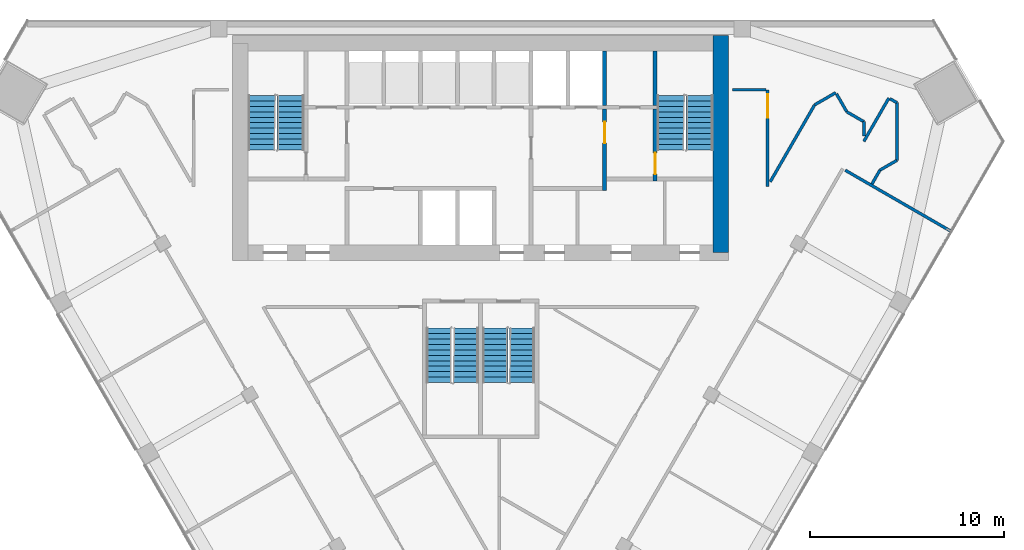
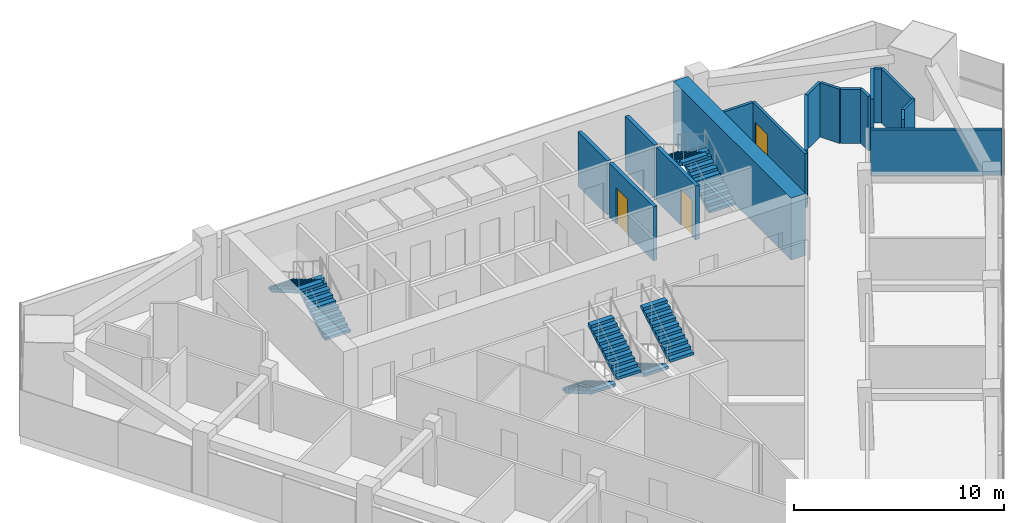
# One storey, part 11 of 13: 18 walls, 8 stair flights, 3 doors, 3 openings, 4 elements without a shape of their own.
"""IFC4 building model written with IfcOpenShell, lengths in metres."""

import ifcopenshell
import ifcopenshell.guid

model = None  # the IFC model being written
_history = None  # IfcOwnerHistory: only IFC2X3 demands one
_inside = {}  # id of a spatial element -> (the spatial element, [elements in it])
_under = {}  # id of a project, library or spatial element -> (it, [spatial elements below it])
_declared = {}  # id of a project -> (the project, [libraries it declares])
_typed = {}  # id of a type object -> (the type object, [elements of that type])
_made_of = {}  # id of a material, layer set ... -> (it, [elements and type objects made of it])


def new_model(schema):
    """Start an empty IFC model of exactly this schema.

    Asked for "IFC4X3", IfcOpenShell would pick the latest addendum, in which some entities
    have other attributes; the version numbers below select the first issue.
    IFC2X3 requires an IfcOwnerHistory on every rooted entity: one is made here for all.
    """
    global model, _history
    if schema == "IFC4X3":
        model = ifcopenshell.file(schema_version=(4, 3, 0, 0))
    else:
        model = ifcopenshell.file(schema=schema)
    _inside.clear()
    _under.clear()
    _declared.clear()
    _typed.clear()
    _made_of.clear()
    _history = None
    if model.schema == "IFC2X3":
        org = make("IfcOrganization", Name="unknown")
        user = make(
            "IfcPersonAndOrganization",
            ThePerson=make("IfcPerson", FamilyName="unknown"),
            TheOrganization=org,
        )
        app = make(
            "IfcApplication",
            ApplicationDeveloper=org,
            Version="unknown",
            ApplicationFullName="unknown",
            ApplicationIdentifier="unknown",
        )
        _history = make(
            "IfcOwnerHistory",
            OwningUser=user,
            OwningApplication=app,
            ChangeAction="ADDED",
            CreationDate=0,
        )
    return model


def make(cls, **values):
    """One entity of the class cls with the attributes given. An attribute that is None is left unset."""
    return model.create_entity(
        cls, **{name: value for name, value in values.items() if value is not None}
    )


def rooted(cls, **values):
    """An entity with a GlobalId (a new one), such as an element, a storey or a relation."""
    return make(cls, GlobalId=ifcopenshell.guid.new(), OwnerHistory=_history, **values)


def si_unit(unit_type, name, prefix=None):
    """IfcSIUnit, for example si_unit("LENGTHUNIT", "METRE", prefix="MILLI")."""
    return make("IfcSIUnit", UnitType=unit_type, Prefix=prefix, Name=name)


def assignment(units):
    """IfcUnitAssignment: the units of a project."""
    return None if units is None else make("IfcUnitAssignment", Units=units)


def point(xyz):
    """IfcCartesianPoint."""
    return None if xyz is None else make("IfcCartesianPoint", Coordinates=xyz)


def direction(xyz):
    """IfcDirection."""
    return None if xyz is None else make("IfcDirection", DirectionRatios=xyz)


def frame(location, z_axis=None, x_axis=None):
    """IfcAxis2Placement3D, a coordinate frame: its origin and axes. An axis left out is left unset."""
    return make(
        "IfcAxis2Placement3D",
        Location=point(location),
        Axis=direction(z_axis),
        RefDirection=direction(x_axis),
    )


def frame_2d(location, x_axis=None):
    """IfcAxis2Placement2D, a coordinate frame in the plane: its origin and x axis."""
    return make(
        "IfcAxis2Placement2D", Location=point(location), RefDirection=direction(x_axis)
    )


def origin():
    """The frame at (0, 0, 0) with its axes left unset."""
    return frame((0.0, 0.0, 0.0))


def place(relative_to, where):
    """IfcLocalPlacement: puts the frame where relative to a parent placement (None: the world)."""
    return make(
        "IfcLocalPlacement", PlacementRelTo=relative_to, RelativePlacement=where
    )


def context(
    kind, dimensions, precision=None, world=None, true_north=None, identifier=None
):
    """IfcGeometricRepresentationContext, for example the 3D "Model" context."""
    return make(
        "IfcGeometricRepresentationContext",
        ContextIdentifier=identifier,
        ContextType=kind,
        CoordinateSpaceDimension=dimensions,
        Precision=precision,
        WorldCoordinateSystem=world,
        TrueNorth=true_north,
    )


def subcontext(parent, identifier, kind, view, scale=None):
    """IfcGeometricRepresentationSubContext, for example "Body" below "Model"."""
    return make(
        "IfcGeometricRepresentationSubContext",
        ContextIdentifier=identifier,
        ContextType=kind,
        ParentContext=parent,
        TargetScale=scale,
        TargetView=view,
    )


def project(units=None, contexts=None):
    """IfcProject with its units and contexts."""
    return rooted(
        "IfcProject",
        Name="project",
        RepresentationContexts=contexts,
        UnitsInContext=assignment(units),
    )


def spatial(cls, under=None, at=None, **own):
    """A site, building, storey or space (cls), placed at a placement, below another one or the project."""
    s = rooted(cls, ObjectPlacement=at, **own)
    if under is not None:
        _under.setdefault(under.id(), (under, []))[1].append(s)
    return s


def polyline(points):
    """IfcPolyline through the points."""
    return make("IfcPolyline", Points=[point(p) for p in points])


def profile(cls, at=None, kind="AREA", **sizes):
    """A parametric profile (cls). Its sizes go by their IFC names, for example OverallWidth=200.0."""
    return make(cls, ProfileType=kind, Position=at, **sizes)


def rectangle(**sizes):
    """IfcRectangleProfileDef."""
    return profile("IfcRectangleProfileDef", **sizes)


def outline(outer, holes=None, kind="AREA"):
    """IfcArbitraryClosedProfileDef: a profile drawn as a closed curve; with holes, ...WithVoids."""
    if holes is None:
        return make("IfcArbitraryClosedProfileDef", ProfileType=kind, OuterCurve=outer)
    return make(
        "IfcArbitraryProfileDefWithVoids",
        ProfileType=kind,
        OuterCurve=outer,
        InnerCurves=holes,
    )


def extrude(swept, where, along, depth):
    """IfcExtrudedAreaSolid: the profile swept, set in the frame where, extruded along a direction by depth."""
    return make(
        "IfcExtrudedAreaSolid",
        SweptArea=swept,
        Position=where,
        ExtrudedDirection=direction(along),
        Depth=depth,
    )


def shape(context_of_items, identifier, shape_type, items):
    """IfcShapeRepresentation: the items that make up one representation, for example the "Body"."""
    return make(
        "IfcShapeRepresentation",
        ContextOfItems=context_of_items,
        RepresentationIdentifier=identifier,
        RepresentationType=shape_type,
        Items=items,
    )


def material(Name=None, Category=None):
    """IfcMaterial."""
    return make("IfcMaterial", Name=Name, Category=Category)


def layer(
    of_material, thickness, ventilated=None, Name=None, Category=None, Priority=None
):
    """IfcMaterialLayer: one layer of a wall or slab, of a material (None: an air gap)."""
    return make(
        "IfcMaterialLayer",
        Material=of_material,
        LayerThickness=thickness,
        IsVentilated=ventilated,
        Name=Name,
        Category=Category,
        Priority=Priority,
    )


def layer_set(layers, Name=None):
    """IfcMaterialLayerSet."""
    return make("IfcMaterialLayerSet", MaterialLayers=layers, LayerSetName=Name)


def made_of(thing, what):
    """Note that an element or type object is made of a material, layer set ...; save() writes the relation."""
    if what is not None:
        _made_of.setdefault(what.id(), (what, []))[1].append(thing)
    return thing


def type_object(cls, material=None, **own):
    """A type object (cls), such as IfcWallType, which elements share."""
    return made_of(rooted(cls, **own), material)


def element(
    cls,
    number,
    at=None,
    inside=None,
    cuts=None,
    type_object=None,
    material=None,
    context=None,
    identifier="Body",
    shape_type=None,
    held_by="IfcProductDefinitionShape",
    body=None,
    shapes=None,
    **own,
):
    """One element of the class cls, such as IfcWall. Its Tag is "e" and its number.

    at: its placement. inside: the storey or other place that contains it. cuts: it is an
    opening in that element (IfcRelVoidsElement). A single representation is given by context,
    identifier, shape_type and body (its items); several are given by shapes. held_by: the class
    of the entity that holds the representations. save() writes the other relations.
    """
    e = rooted(cls, Tag="e%d" % number, ObjectPlacement=at, **own)
    if body is not None:
        shapes = [shape(context, identifier, shape_type, body)]
    if shapes is not None:
        e.Representation = make(held_by, Representations=shapes)
    if inside is not None:
        _inside.setdefault(inside.id(), (inside, []))[1].append(e)
    if cuts is not None:
        rooted(
            "IfcRelVoidsElement", RelatingBuildingElement=cuts, RelatedOpeningElement=e
        )
    if type_object is not None:
        _typed.setdefault(type_object.id(), (type_object, []))[1].append(e)
    return made_of(e, material)


def fill(opening, filler):
    """IfcRelFillsElement: the door or window that sits in an opening."""
    return rooted(
        "IfcRelFillsElement",
        RelatingOpeningElement=opening,
        RelatedBuildingElement=filler,
    )


def aggregate(whole, parts):
    """IfcRelAggregates: a whole, such as a stair, and the parts it consists of."""
    return rooted("IfcRelAggregates", RelatingObject=whole, RelatedObjects=parts)


def save(model, path):
    """Write the relations noted so far, then the file.

    IfcRelAggregates (storeys below a building ...), IfcRelContainedInSpatialStructure (elements
    in a storey), IfcRelDefinesByType, IfcRelAssociatesMaterial and IfcRelDeclares: one each for
    every whole, place, type object, material and project.
    """
    for whole, parts in _under.values():
        aggregate(whole, parts)
    for where, things in _inside.values():
        rooted(
            "IfcRelContainedInSpatialStructure",
            RelatedElements=things,
            RelatingStructure=where,
        )
    for kind, things in _typed.values():
        rooted("IfcRelDefinesByType", RelatedObjects=things, RelatingType=kind)
    for what, things in _made_of.values():
        rooted("IfcRelAssociatesMaterial", RelatedObjects=things, RelatingMaterial=what)
    for by, libraries in _declared.values():
        rooted("IfcRelDeclares", RelatingContext=by, RelatedDefinitions=libraries)
    model.write(path)


model = new_model("IFC4")

# Units and contexts
model_context = context("Model", 3, precision=1e-05, world=origin(), true_north=direction((0.0, 1.0)))
body_context = subcontext(model_context, "Body", "Model", "MODEL_VIEW")
ifc_project = project(units=[si_unit("LENGTHUNIT", "METRE"), si_unit("AREAUNIT", "SQUARE_METRE"), si_unit("VOLUMEUNIT", "CUBIC_METRE"), si_unit("PLANEANGLEUNIT", "RADIAN"), si_unit("MASSUNIT", "GRAM", prefix="KILO")], contexts=[model_context])

# Site, building, storey
site_placement = place(None, origin())
site = spatial("IfcSite", under=ifc_project, at=site_placement, CompositionType="ELEMENT")
building_placement = place(site_placement, origin())
building = spatial("IfcBuilding", under=site, at=building_placement, Name="Altiplano Prism Tower", CompositionType="ELEMENT")
storey_placement = place(building_placement, frame((0.0, 0.0, 156.60009765625)))
storey = spatial("IfcBuildingStorey", under=building, at=storey_placement, Name="L40", CompositionType="ELEMENT", Elevation=156.60009765625)

# Walls
ifc_material_1 = material(Name="Concrete C60/75", Category="concrete")
ifc_layer_1 = layer(ifc_material_1, 0.800048828125)
ifc_layer_set_1 = layer_set([ifc_layer_1], Name="Concrete C60/75")
wall_type_1 = type_object("IfcWallType", Name="Core wall 800", PredefinedType="SHEAR", material=ifc_layer_set_1)
wall_1_placement = place(storey_placement, frame((97.39990234375, 93.0, 0.0), z_axis=(0.0, 0.0, 1.0), x_axis=(0.0, 1.0, 0.0)))
element("IfcWall", 1, at=wall_1_placement, inside=storey, type_object=wall_type_1, Name="Core wall E L40", PredefinedType="SHEAR", context=body_context, shape_type="SweptSolid", body=[
    extrude(rectangle(XDim=11.199951171875, YDim=0.800048828125, at=frame_2d((5.60009765625, 0.0))), origin(), (0.0, 0.0, 1.0), 3.599853515625),
])
ifc_material_2 = material(Name="Plasterboard on steel stud", Category="steel")
ifc_layer_2 = layer(ifc_material_2, 0.14990234375)
ifc_layer_set_2 = layer_set([ifc_layer_2], Name="Plasterboard on steel stud")
wall_type_2 = type_object("IfcWallType", Name="Partition 150 corridor", PredefinedType="PARTITIONING", material=ifc_layer_set_2)
wall_2_placement = place(storey_placement, frame((105.1875, 96.541015625, 0.0), z_axis=(0.0, 0.0, 1.0), x_axis=(0.500021249735, 0.866013134896, 0.0)))
element("IfcWall", 2, at=wall_2_placement, inside=storey, type_object=wall_type_2, Name="Partition P06 L40 007", PredefinedType="PARTITIONING", context=body_context, shape_type="SweptSolid", body=[
    extrude(rectangle(XDim=0.8251953125, YDim=0.14990234375, at=frame_2d((0.41259765625, 0.0))), origin(), (0.0, 0.0, 1.0), 3.14990234375),
])
wall_3_placement = place(storey_placement, frame((105.60009765625, 97.255615234375, 0.0), z_axis=(0.0, 0.0, 1.0), x_axis=(0.86609656662, 0.499876722092, 0.0)))
element("IfcWall", 3, at=wall_3_placement, inside=storey, type_object=wall_type_2, Name="Partition P06 L40 008", PredefinedType="PARTITIONING", context=body_context, shape_type="SweptSolid", body=[
    extrude(rectangle(XDim=1.004638671875, YDim=0.14990234375, at=frame_2d((0.50244140625, 0.0))), origin(), (0.0, 0.0, 1.0), 3.14990234375),
])
wall_4_placement = place(storey_placement, frame((106.47021484375, 97.7578125, 0.0), z_axis=(0.0, 0.0, 1.0), x_axis=(0.0, 1.0, 0.0)))
element("IfcWall", 4, at=wall_4_placement, inside=storey, type_object=wall_type_2, Name="Partition P06 L40 009", PredefinedType="PARTITIONING", context=body_context, shape_type="SweptSolid", body=[
    extrude(rectangle(XDim=2.977294921875, YDim=0.14990234375, at=frame_2d((1.48876953125, 0.0))), origin(), (0.0, 0.0, 1.0), 3.14990234375),
])
wall_5_placement = place(storey_placement, frame((106.47021484375, 100.735107421875, 0.0), z_axis=(0.0, 0.0, 1.0), x_axis=(-0.866053278629, 0.499951716245, 0.0)))
element("IfcWall", 5, at=wall_5_placement, inside=storey, type_object=wall_type_2, Name="Partition P06 L40 010", PredefinedType="PARTITIONING", context=body_context, shape_type="SweptSolid", body=[
    extrude(rectangle(XDim=0.3994140625, YDim=0.14990234375, at=frame_2d((0.19970703125, 0.0))), origin(), (0.0, 0.0, 1.0), 3.14990234375),
])
wall_6_placement = place(storey_placement, frame((106.059326171875, 100.97216796875, 0.0), z_axis=(0.0, 0.0, 1.0), x_axis=(-0.500012313569, -0.866018294426, 0.0)))
element("IfcWall", 6, at=wall_6_placement, inside=storey, type_object=wall_type_2, Name="Partition P06 L40 011", PredefinedType="PARTITIONING", context=body_context, shape_type="SweptSolid", body=[
    extrude(rectangle(XDim=2.576171875, YDim=0.14990234375, at=frame_2d((1.2880859375, 0.0))), origin(), (0.0, 0.0, 1.0), 3.14990234375),
])
wall_7_placement = place(storey_placement, frame((104.771240234375, 99.02099609375, 0.0), z_axis=(0.0, 0.0, 1.0), x_axis=(0.0, 1.0, 0.0)))
element("IfcWall", 7, at=wall_7_placement, inside=storey, type_object=wall_type_2, Name="Partition P06 L40 012", PredefinedType="PARTITIONING", context=body_context, shape_type="SweptSolid", body=[
    extrude(rectangle(XDim=0.732421875, YDim=0.14990234375, at=frame_2d((0.3662109375, 0.0))), origin(), (0.0, 0.0, 1.0), 3.14990234375),
])
wall_8_placement = place(storey_placement, frame((104.771240234375, 99.75341796875, 0.0), z_axis=(0.0, 0.0, 1.0), x_axis=(-0.865804858131, 0.500381801865, 0.0)))
element("IfcWall", 8, at=wall_8_placement, inside=storey, type_object=wall_type_2, Name="Partition P06 L40 013", PredefinedType="PARTITIONING", context=body_context, shape_type="SweptSolid", body=[
    extrude(rectangle(XDim=1.014892578125, YDim=0.14990234375, at=frame_2d((0.50732421875, 0.0))), origin(), (0.0, 0.0, 1.0), 3.14990234375),
])
wall_9_placement = place(storey_placement, frame((103.892578125, 100.26123046875, 0.0), z_axis=(0.0, 0.0, 1.0), x_axis=(-0.499801588234, 0.86613992657, 0.0)))
element("IfcWall", 9, at=wall_9_placement, inside=storey, type_object=wall_type_2, Name="Partition P06 L40 014", PredefinedType="PARTITIONING", context=body_context, shape_type="SweptSolid", body=[
    extrude(rectangle(XDim=1.068359375, YDim=0.14990234375, at=frame_2d((0.5341796875, 0.0))), origin(), (0.0, 0.0, 1.0), 3.14990234375),
])
wall_10_placement = place(storey_placement, frame((103.321044921875, 101.25146484375, 0.0), z_axis=(0.0, 0.0, 1.0), x_axis=(-0.866408603074, -0.499335691213, 0.0)))
element("IfcWall", 10, at=wall_10_placement, inside=storey, type_object=wall_type_2, Name="Partition P06 L40 015", PredefinedType="PARTITIONING", context=body_context, shape_type="SweptSolid", body=[
    extrude(rectangle(XDim=1.257080078125, YDim=0.14990234375, at=frame_2d((0.62841796875, 0.0))), origin(), (0.0, 0.0, 1.0), 3.14990234375),
])
wall_11_placement = place(storey_placement, frame((102.23193359375, 100.623779296875, 0.0), z_axis=(0.0, 0.0, 1.0), x_axis=(-0.500013030768, -0.866017880336, 0.0)))
element("IfcWall", 11, at=wall_11_placement, inside=storey, type_object=wall_type_2, Name="Partition P06 L40 016", PredefinedType="PARTITIONING", context=body_context, shape_type="SweptSolid", body=[
    extrude(rectangle(XDim=4.58203125, YDim=0.14990234375, at=frame_2d((2.291015625, 0.0))), origin(), (0.0, 0.0, 1.0), 3.14990234375),
])

# Wall, opening, door
wall_12_placement = place(storey_placement, frame((99.801025390625, 96.413330078125, 0.0), z_axis=(0.0, 0.0, 1.0), x_axis=(0.0, 1.0, 0.0)))
wall_12 = element("IfcWall", 12, at=wall_12_placement, inside=storey, type_object=wall_type_2, Name="Partition P06 L40 017", PredefinedType="PARTITIONING", context=body_context, shape_type="SweptSolid", body=[
    extrude(rectangle(XDim=4.986572265625, YDim=0.14990234375, at=frame_2d((2.4931640625, 0.0))), origin(), (0.0, 0.0, 1.0), 3.14990234375),
])
opening_1_placement = place(wall_12_placement, frame((3.550048828125, 0.0, 0.0)))
opening_1 = element("IfcOpeningElement", 13, at=opening_1_placement, cuts=wall_12, Name="Opening D1449", PredefinedType="OPENING", context=body_context, shape_type="SweptSolid", body=[
    extrude(rectangle(XDim=1.199951171875, YDim=2.10009765625, at=frame_2d((0.60009765625, 1.050048828125))), frame((0.0, 0.08544921875, 0.0), z_axis=(0.0, -1.0, 0.0), x_axis=(1.0, 0.0, 0.0)), (0.0, 0.0, 1.0), 0.1708984375),
])
ifc_material_3 = material(Name="Timber", Category="wood")
door_type_1 = type_object("IfcDoorType", Name="Shared room door 1200 x 2100", OperationType="NOTDEFINED", PredefinedType="NOTDEFINED", material=ifc_material_3)
door_1_placement = place(opening_1_placement, origin())
door_1 = element("IfcDoor", 14, at=door_1_placement, inside=storey, type_object=door_type_1, Name="Door D1449", OperationType="SINGLE_SWING_RIGHT", OverallHeight=2.10009765625, OverallWidth=1.199951171875, PredefinedType="NOTDEFINED", context=body_context, shape_type="SweptSolid", body=[
    extrude(rectangle(XDim=1.199951171875, YDim=2.10009765625, at=frame_2d((0.60009765625, 1.050048828125))), frame((0.0, 0.02490234375, 0.0), z_axis=(0.0, -1.0, 0.0), x_axis=(1.0, 0.0, 0.0)), (0.0, 0.0, 1.0), 0.050048828125),
])
fill(opening_1, door_1)

# Walls
wall_13_placement = place(storey_placement, frame((99.72607421875, 101.400146484375, 0.0), z_axis=(0.0, 0.0, 1.0), x_axis=(-0.999999909973, 0.000424328109, 0.0)))
element("IfcWall", 15, at=wall_13_placement, inside=storey, type_object=wall_type_2, Name="Partition P06 L40 018", PredefinedType="PARTITIONING", context=body_context, shape_type="SweptSolid", body=[
    extrude(rectangle(XDim=1.72607421875, YDim=0.14990234375, at=frame_2d((0.863037109375, 0.0))), origin(), (0.0, 0.0, 1.0), 3.14990234375),
])
wall_14_placement = place(storey_placement, frame((109.22021484375, 94.126220703125, 0.0), z_axis=(0.0, 0.0, 1.0), x_axis=(-0.866022959057, 0.500004234368, 0.0)))
element("IfcWall", 16, at=wall_14_placement, inside=storey, type_object=wall_type_2, Name="Partition P06 L40 051", PredefinedType="PARTITIONING", context=body_context, shape_type="SweptSolid", body=[
    extrude(rectangle(XDim=6.25, YDim=0.14990234375, at=frame_2d((3.125, 0.0))), origin(), (0.0, 0.0, 1.0), 2.64990234375),
])
ifc_layer_3 = layer(ifc_material_1, 0.199951171875)
ifc_layer_set_3 = layer_set([ifc_layer_3], Name="Concrete C60/75")
wall_type_3 = type_object("IfcWallType", Name="Shaft wall 200", PredefinedType="SOLIDWALL", material=ifc_layer_set_3)
wall_15_placement = place(storey_placement, frame((91.39990234375, 100.60009765625, 0.0), z_axis=(0.0, 0.0, 1.0), x_axis=(0.0, 1.0, 0.0)))
element("IfcWall", 17, at=wall_15_placement, inside=storey, type_object=wall_type_3, Name="Shaft wall L40", PredefinedType="SOLIDWALL", context=body_context, shape_type="SweptSolid", body=[
    extrude(rectangle(XDim=2.7998046875, YDim=0.199951171875, at=frame_2d((1.39990234375, 0.0))), origin(), (0.0, 0.0, 1.0), 3.14990234375),
])

# Wall, opening, door
ifc_layer_4 = layer(ifc_material_1, 0.199951171875)
ifc_layer_set_4 = layer_set([ifc_layer_4], Name="Concrete C60/75")
wall_type_4 = type_object("IfcWallType", Name="Stair wall 200", PredefinedType="SOLIDWALL", material=ifc_layer_set_4)
wall_16_placement = place(storey_placement, frame((94.0, 96.699951171875, 0.0), z_axis=(0.0, 0.0, 1.0), x_axis=(0.0, 1.0, 0.0)))
wall_16 = element("IfcWall", 18, at=wall_16_placement, inside=storey, type_object=wall_type_4, Name="Stair wall L40", PredefinedType="SOLIDWALL", context=body_context, shape_type="SweptSolid", body=[
    extrude(rectangle(XDim=3.699951171875, YDim=0.199951171875, at=frame_2d((1.85009765625, 0.0))), origin(), (0.0, 0.0, 1.0), 3.14990234375),
])
opening_2_placement = place(wall_16_placement, frame((0.35009765625, 0.0, 0.0)))
opening_2 = element("IfcOpeningElement", 19, at=opening_2_placement, cuts=wall_16, Name="Opening D3127", PredefinedType="OPENING", context=body_context, shape_type="SweptSolid", body=[
    extrude(rectangle(XDim=1.10009765625, YDim=2.10009765625, at=frame_2d((0.550048828125, 1.050048828125))), frame((0.0, 0.1103515625, 0.0), z_axis=(0.0, -1.0, 0.0), x_axis=(1.0, 0.0, 0.0)), (0.0, 0.0, 1.0), 0.220947265625),
])
ifc_material_4 = material(Name="Fire-rated steel door", Category="steel")
door_type_2 = type_object("IfcDoorType", Name="Stair fire door 1100 x 2100", OperationType="NOTDEFINED", PredefinedType="NOTDEFINED", material=ifc_material_4)
door_2_placement = place(opening_2_placement, origin())
door_2 = element("IfcDoor", 20, at=door_2_placement, inside=storey, type_object=door_type_2, Name="Stair fire door D3127", OperationType="SINGLE_SWING_LEFT", OverallHeight=2.10009765625, OverallWidth=1.10009765625, PredefinedType="NOTDEFINED", context=body_context, shape_type="SweptSolid", body=[
    extrude(rectangle(XDim=1.10009765625, YDim=2.10009765625, at=frame_2d((0.550048828125, 1.050048828125))), frame((0.0, 0.02490234375, 0.0), z_axis=(0.0, -1.0, 0.0), x_axis=(1.0, 0.0, 0.0)), (0.0, 0.0, 1.0), 0.050048828125),
])
fill(opening_2, door_2)

# Wall
wall_17_placement = place(storey_placement, frame((94.0, 100.60009765625, 0.0), z_axis=(0.0, 0.0, 1.0), x_axis=(0.0, 1.0, 0.0)))
element("IfcWall", 21, at=wall_17_placement, inside=storey, type_object=wall_type_4, Name="Stair wall L40", PredefinedType="SOLIDWALL", context=body_context, shape_type="SweptSolid", body=[
    extrude(rectangle(XDim=2.7998046875, YDim=0.199951171875, at=frame_2d((1.39990234375, 0.0))), origin(), (0.0, 0.0, 1.0), 3.14990234375),
])

# Wall, opening, door
ifc_layer_5 = layer(ifc_material_1, 0.199951171875)
ifc_layer_set_5 = layer_set([ifc_layer_5], Name="Concrete C60/75")
wall_type_5 = type_object("IfcWallType", Name="Vestibule wall 200", PredefinedType="PARTITIONING", material=ifc_layer_set_5)
wall_18_placement = place(storey_placement, frame((91.39990234375, 96.199951171875, 0.0), z_axis=(0.0, 0.0, 1.0), x_axis=(0.0, 1.0, 0.0)))
wall_18 = element("IfcWall", 22, at=wall_18_placement, inside=storey, type_object=wall_type_5, Name="Vestibule wall L40", PredefinedType="PARTITIONING", context=body_context, shape_type="SweptSolid", body=[
    extrude(rectangle(XDim=4.199951171875, YDim=0.199951171875, at=frame_2d((2.10009765625, 0.0))), origin(), (0.0, 0.0, 1.0), 3.14990234375),
])
opening_3_placement = place(wall_18_placement, frame((2.449951171875, 0.0, 0.0)))
opening_3 = element("IfcOpeningElement", 23, at=opening_3_placement, cuts=wall_18, Name="Opening D3130", PredefinedType="OPENING", context=body_context, shape_type="SweptSolid", body=[
    extrude(rectangle(XDim=1.10009765625, YDim=2.10009765625, at=frame_2d((0.550048828125, 1.050048828125))), frame((0.0, 0.1103515625, 0.0), z_axis=(0.0, -1.0, 0.0), x_axis=(1.0, 0.0, 0.0)), (0.0, 0.0, 1.0), 0.220947265625),
])
door_type_3 = type_object("IfcDoorType", Name="Vestibule fire door 1100 x 2100", OperationType="NOTDEFINED", PredefinedType="NOTDEFINED", material=ifc_material_4)
door_3_placement = place(opening_3_placement, origin())
door_3 = element("IfcDoor", 24, at=door_3_placement, inside=storey, type_object=door_type_3, Name="Vestibule fire door D3130", OperationType="SINGLE_SWING_LEFT", OverallHeight=2.10009765625, OverallWidth=1.10009765625, PredefinedType="NOTDEFINED", context=body_context, shape_type="SweptSolid", body=[
    extrude(rectangle(XDim=1.10009765625, YDim=2.10009765625, at=frame_2d((0.550048828125, 1.050048828125))), frame((0.0, 0.02490234375, 0.0), z_axis=(0.0, -1.0, 0.0), x_axis=(1.0, 0.0, 0.0)), (0.0, 0.0, 1.0), 0.050048828125),
])
fill(opening_3, door_3)

# Stair, stair flights
ifc_material_5 = material(Name="Concrete C40/50", Category="concrete")
stair_type_1 = type_object("IfcStairType", Name="Exit stair 1400", PredefinedType="HALF_TURN_STAIR", material=ifc_material_5)
stair_1_placement = place(storey_placement, origin())
stair_1 = element("IfcStair", 25, at=stair_1_placement, inside=storey, type_object=stair_type_1, Name="L40 Exit Stair 1", PredefinedType="HALF_TURN_STAIR")
stair_flight_type = type_object("IfcStairFlightType", Name="Stair flight concrete 150", PredefinedType="STRAIGHT", material=ifc_material_5)
stair_flight_1_placement = place(storey_placement, frame((75.199951171875, 98.300048828125, 0.0), z_axis=(0.0, 0.0, 1.0), x_axis=(0.0, 1.0, 0.0)))
stair_flight_1 = element("IfcStairFlight", 26, at=stair_flight_1_placement, type_object=stair_flight_type, Name="ST1 flight 1", NumberOfRisers=11, NumberOfTreads=10, PredefinedType="STRAIGHT", RiserHeight=0.163636364, TreadLength=0.28, context=body_context, shape_type="SweptSolid", body=[
    extrude(outline(polyline([(0.0, 0.0), (0.0, 0.16357421875), (0.280029296875, 0.16357421875), (0.280029296875, 0.327392578125), (0.56005859375, 0.327392578125), (0.56005859375, 0.490966796875), (0.840087890625, 0.490966796875), (0.840087890625, 0.654541015625), (1.1201171875, 0.654541015625), (1.1201171875, 0.818115234375), (1.39990234375, 0.818115234375), (1.39990234375, 0.98193359375), (1.679931640625, 0.98193359375), (1.679931640625, 1.1455078125), (1.9599609375, 1.1455078125), (1.9599609375, 1.30908203125), (2.239990234375, 1.30908203125), (2.239990234375, 1.47265625), (2.52001953125, 1.47265625), (2.52001953125, 1.636474609375), (2.800048828125, 1.636474609375), (2.800048828125, 1.800048828125), (2.800048828125, 1.462646484375), (0.297119140625, 0.0), (0.0, 0.0)])), frame((0.0, 0.699951171875, 0.0), z_axis=(0.0, -1.0, 0.0), x_axis=(1.0, 0.0, 0.0)), (0.0, 0.0, 1.0), 1.39990234375),
])
stair_flight_2_placement = place(storey_placement, frame((73.699951171875, 101.10009765625, 1.7998046875), z_axis=(0.0, 0.0, 1.0), x_axis=(0.0, -1.0, 0.0)))
stair_flight_2 = element("IfcStairFlight", 27, at=stair_flight_2_placement, type_object=stair_flight_type, Name="ST1 flight 2", NumberOfRisers=11, NumberOfTreads=10, PredefinedType="STRAIGHT", RiserHeight=0.163636364, TreadLength=0.28, context=body_context, shape_type="SweptSolid", body=[
    extrude(outline(polyline([(0.0, 0.0), (0.0, 0.16357421875), (0.280029296875, 0.16357421875), (0.280029296875, 0.327392578125), (0.56005859375, 0.327392578125), (0.56005859375, 0.490966796875), (0.840087890625, 0.490966796875), (0.840087890625, 0.654541015625), (1.1201171875, 0.654541015625), (1.1201171875, 0.818115234375), (1.39990234375, 0.818115234375), (1.39990234375, 0.98193359375), (1.679931640625, 0.98193359375), (1.679931640625, 1.1455078125), (1.9599609375, 1.1455078125), (1.9599609375, 1.30908203125), (2.239990234375, 1.30908203125), (2.239990234375, 1.47265625), (2.52001953125, 1.47265625), (2.52001953125, 1.636474609375), (2.800048828125, 1.636474609375), (2.800048828125, 1.800048828125), (2.800048828125, 1.462646484375), (0.297119140625, 0.0), (0.0, 0.0)])), frame((0.0, 0.699951171875, 0.0), z_axis=(0.0, -1.0, 0.0), x_axis=(1.0, 0.0, 0.0)), (0.0, 0.0, 1.0), 1.39990234375),
])
aggregate(stair_1, [stair_flight_1, stair_flight_2])

stair_2_placement = place(storey_placement, origin())
stair_2 = element("IfcStair", 28, at=stair_2_placement, inside=storey, type_object=stair_type_1, Name="L40 Exit Stair 2", PredefinedType="HALF_TURN_STAIR")
stair_flight_3_placement = place(storey_placement, frame((96.300048828125, 98.300048828125, 0.0), z_axis=(0.0, 0.0, 1.0), x_axis=(0.0, 1.0, 0.0)))
stair_flight_3 = element("IfcStairFlight", 29, at=stair_flight_3_placement, type_object=stair_flight_type, Name="ST2 flight 1", NumberOfRisers=11, NumberOfTreads=10, PredefinedType="STRAIGHT", RiserHeight=0.163636364, TreadLength=0.28, context=body_context, shape_type="SweptSolid", body=[
    extrude(outline(polyline([(0.0, 0.0), (0.0, 0.16357421875), (0.280029296875, 0.16357421875), (0.280029296875, 0.327392578125), (0.56005859375, 0.327392578125), (0.56005859375, 0.490966796875), (0.840087890625, 0.490966796875), (0.840087890625, 0.654541015625), (1.1201171875, 0.654541015625), (1.1201171875, 0.818115234375), (1.39990234375, 0.818115234375), (1.39990234375, 0.98193359375), (1.679931640625, 0.98193359375), (1.679931640625, 1.1455078125), (1.9599609375, 1.1455078125), (1.9599609375, 1.30908203125), (2.239990234375, 1.30908203125), (2.239990234375, 1.47265625), (2.52001953125, 1.47265625), (2.52001953125, 1.636474609375), (2.800048828125, 1.636474609375), (2.800048828125, 1.800048828125), (2.800048828125, 1.462646484375), (0.297119140625, 0.0), (0.0, 0.0)])), frame((0.0, 0.699951171875, 0.0), z_axis=(0.0, -1.0, 0.0), x_axis=(1.0, 0.0, 0.0)), (0.0, 0.0, 1.0), 1.39990234375),
])
stair_flight_4_placement = place(storey_placement, frame((94.800048828125, 101.10009765625, 1.7998046875), z_axis=(0.0, 0.0, 1.0), x_axis=(0.0, -1.0, 0.0)))
stair_flight_4 = element("IfcStairFlight", 30, at=stair_flight_4_placement, type_object=stair_flight_type, Name="ST2 flight 2", NumberOfRisers=11, NumberOfTreads=10, PredefinedType="STRAIGHT", RiserHeight=0.163636364, TreadLength=0.28, context=body_context, shape_type="SweptSolid", body=[
    extrude(outline(polyline([(0.0, 0.0), (0.0, 0.16357421875), (0.280029296875, 0.16357421875), (0.280029296875, 0.327392578125), (0.56005859375, 0.327392578125), (0.56005859375, 0.490966796875), (0.840087890625, 0.490966796875), (0.840087890625, 0.654541015625), (1.1201171875, 0.654541015625), (1.1201171875, 0.818115234375), (1.39990234375, 0.818115234375), (1.39990234375, 0.98193359375), (1.679931640625, 0.98193359375), (1.679931640625, 1.1455078125), (1.9599609375, 1.1455078125), (1.9599609375, 1.30908203125), (2.239990234375, 1.30908203125), (2.239990234375, 1.47265625), (2.52001953125, 1.47265625), (2.52001953125, 1.636474609375), (2.800048828125, 1.636474609375), (2.800048828125, 1.800048828125), (2.800048828125, 1.462646484375), (0.297119140625, 0.0), (0.0, 0.0)])), frame((0.0, 0.699951171875, 0.0), z_axis=(0.0, -1.0, 0.0), x_axis=(1.0, 0.0, 0.0)), (0.0, 0.0, 1.0), 1.39990234375),
])
aggregate(stair_2, [stair_flight_3, stair_flight_4])

stair_type_2 = type_object("IfcStairType", Name="Exit stair 1300", PredefinedType="HALF_TURN_STAIR", material=ifc_material_5)
stair_3_placement = place(storey_placement, origin())
stair_3 = element("IfcStair", 31, at=stair_3_placement, inside=storey, type_object=stair_type_2, Name="L40 Exit Stair 3A", PredefinedType="HALF_TURN_STAIR")
stair_flight_5_placement = place(storey_placement, frame((82.85009765625, 89.10009765625, 0.0), z_axis=(0.0, 0.0, 1.0), x_axis=(0.0, -1.0, 0.0)))
stair_flight_5 = element("IfcStairFlight", 32, at=stair_flight_5_placement, type_object=stair_flight_type, Name="ST3A flight 1", NumberOfRisers=11, NumberOfTreads=10, PredefinedType="STRAIGHT", RiserHeight=0.163636364, TreadLength=0.28, context=body_context, shape_type="SweptSolid", body=[
    extrude(outline(polyline([(0.0, 0.0), (0.0, 0.16357421875), (0.280029296875, 0.16357421875), (0.280029296875, 0.327392578125), (0.56005859375, 0.327392578125), (0.56005859375, 0.490966796875), (0.840087890625, 0.490966796875), (0.840087890625, 0.654541015625), (1.1201171875, 0.654541015625), (1.1201171875, 0.818115234375), (1.39990234375, 0.818115234375), (1.39990234375, 0.98193359375), (1.679931640625, 0.98193359375), (1.679931640625, 1.1455078125), (1.9599609375, 1.1455078125), (1.9599609375, 1.30908203125), (2.239990234375, 1.30908203125), (2.239990234375, 1.47265625), (2.52001953125, 1.47265625), (2.52001953125, 1.636474609375), (2.800048828125, 1.636474609375), (2.800048828125, 1.800048828125), (2.800048828125, 1.462646484375), (0.297119140625, 0.0), (0.0, 0.0)])), frame((0.0, 0.64990234375, 0.0), z_axis=(0.0, -1.0, 0.0), x_axis=(1.0, 0.0, 0.0)), (0.0, 0.0, 1.0), 1.300048828125),
])
stair_flight_6_placement = place(storey_placement, frame((84.25, 86.300048828125, 1.7998046875), z_axis=(0.0, 0.0, 1.0), x_axis=(0.0, 1.0, 0.0)))
stair_flight_6 = element("IfcStairFlight", 33, at=stair_flight_6_placement, type_object=stair_flight_type, Name="ST3A flight 2", NumberOfRisers=11, NumberOfTreads=10, PredefinedType="STRAIGHT", RiserHeight=0.163636364, TreadLength=0.28, context=body_context, shape_type="SweptSolid", body=[
    extrude(outline(polyline([(0.0, 0.0), (0.0, 0.16357421875), (0.280029296875, 0.16357421875), (0.280029296875, 0.327392578125), (0.56005859375, 0.327392578125), (0.56005859375, 0.490966796875), (0.840087890625, 0.490966796875), (0.840087890625, 0.654541015625), (1.1201171875, 0.654541015625), (1.1201171875, 0.818115234375), (1.39990234375, 0.818115234375), (1.39990234375, 0.98193359375), (1.679931640625, 0.98193359375), (1.679931640625, 1.1455078125), (1.9599609375, 1.1455078125), (1.9599609375, 1.30908203125), (2.239990234375, 1.30908203125), (2.239990234375, 1.47265625), (2.52001953125, 1.47265625), (2.52001953125, 1.636474609375), (2.800048828125, 1.636474609375), (2.800048828125, 1.800048828125), (2.800048828125, 1.462646484375), (0.297119140625, 0.0), (0.0, 0.0)])), frame((0.0, 0.64990234375, 0.0), z_axis=(0.0, -1.0, 0.0), x_axis=(1.0, 0.0, 0.0)), (0.0, 0.0, 1.0), 1.300048828125),
])
aggregate(stair_3, [stair_flight_5, stair_flight_6])

stair_4_placement = place(storey_placement, origin())
stair_4 = element("IfcStair", 34, at=stair_4_placement, inside=storey, type_object=stair_type_2, Name="L40 Exit Stair 3B", PredefinedType="HALF_TURN_STAIR")
stair_flight_7_placement = place(storey_placement, frame((85.75, 89.10009765625, 0.0), z_axis=(0.0, 0.0, 1.0), x_axis=(0.0, -1.0, 0.0)))
stair_flight_7 = element("IfcStairFlight", 35, at=stair_flight_7_placement, type_object=stair_flight_type, Name="ST3B flight 1", NumberOfRisers=11, NumberOfTreads=10, PredefinedType="STRAIGHT", RiserHeight=0.163636364, TreadLength=0.28, context=body_context, shape_type="SweptSolid", body=[
    extrude(outline(polyline([(0.0, 0.0), (0.0, 0.16357421875), (0.280029296875, 0.16357421875), (0.280029296875, 0.327392578125), (0.56005859375, 0.327392578125), (0.56005859375, 0.490966796875), (0.840087890625, 0.490966796875), (0.840087890625, 0.654541015625), (1.1201171875, 0.654541015625), (1.1201171875, 0.818115234375), (1.39990234375, 0.818115234375), (1.39990234375, 0.98193359375), (1.679931640625, 0.98193359375), (1.679931640625, 1.1455078125), (1.9599609375, 1.1455078125), (1.9599609375, 1.30908203125), (2.239990234375, 1.30908203125), (2.239990234375, 1.47265625), (2.52001953125, 1.47265625), (2.52001953125, 1.636474609375), (2.800048828125, 1.636474609375), (2.800048828125, 1.800048828125), (2.800048828125, 1.462646484375), (0.297119140625, 0.0), (0.0, 0.0)])), frame((0.0, 0.64990234375, 0.0), z_axis=(0.0, -1.0, 0.0), x_axis=(1.0, 0.0, 0.0)), (0.0, 0.0, 1.0), 1.300048828125),
])
stair_flight_8_placement = place(storey_placement, frame((87.14990234375, 86.300048828125, 1.7998046875), z_axis=(0.0, 0.0, 1.0), x_axis=(0.0, 1.0, 0.0)))
stair_flight_8 = element("IfcStairFlight", 36, at=stair_flight_8_placement, type_object=stair_flight_type, Name="ST3B flight 2", NumberOfRisers=11, NumberOfTreads=10, PredefinedType="STRAIGHT", RiserHeight=0.163636364, TreadLength=0.28, context=body_context, shape_type="SweptSolid", body=[
    extrude(outline(polyline([(0.0, 0.0), (0.0, 0.16357421875), (0.280029296875, 0.16357421875), (0.280029296875, 0.327392578125), (0.56005859375, 0.327392578125), (0.56005859375, 0.490966796875), (0.840087890625, 0.490966796875), (0.840087890625, 0.654541015625), (1.1201171875, 0.654541015625), (1.1201171875, 0.818115234375), (1.39990234375, 0.818115234375), (1.39990234375, 0.98193359375), (1.679931640625, 0.98193359375), (1.679931640625, 1.1455078125), (1.9599609375, 1.1455078125), (1.9599609375, 1.30908203125), (2.239990234375, 1.30908203125), (2.239990234375, 1.47265625), (2.52001953125, 1.47265625), (2.52001953125, 1.636474609375), (2.800048828125, 1.636474609375), (2.800048828125, 1.800048828125), (2.800048828125, 1.462646484375), (0.297119140625, 0.0), (0.0, 0.0)])), frame((0.0, 0.64990234375, 0.0), z_axis=(0.0, -1.0, 0.0), x_axis=(1.0, 0.0, 0.0)), (0.0, 0.0, 1.0), 1.300048828125),
])
aggregate(stair_4, [stair_flight_7, stair_flight_8])

save(model, "model.ifc")
